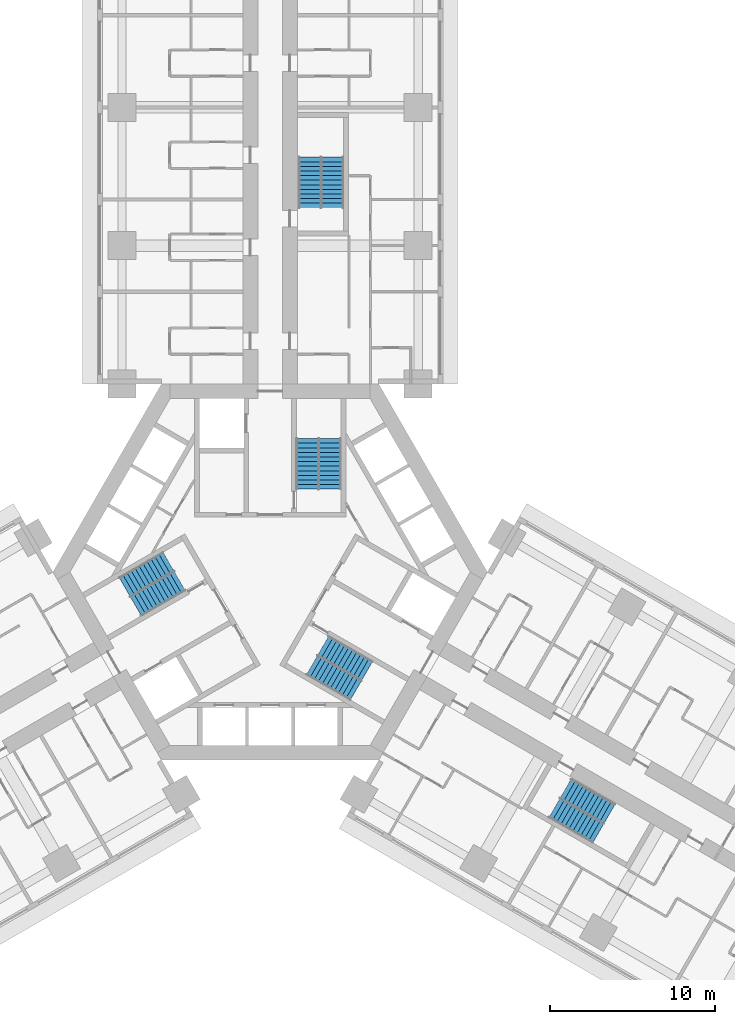
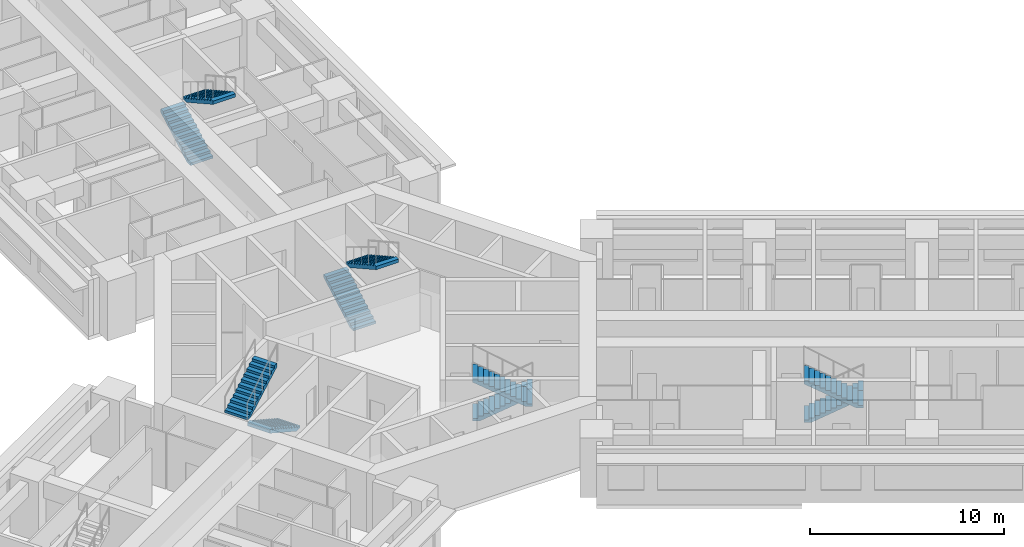
# One storey, part 16 of 17: 10 stair flights, 5 elements without a shape of their own.
"""IFC4 building model written with IfcOpenShell, lengths in metres."""

from ifc_helpers import new_model, si_unit, direction, frame, origin, place, context, subcontext, project, spatial, polyline, outline, extrude, material, type_object, element, aggregate, save


model = new_model("IFC4")

# Units and contexts
model_context = context("Model", 3, precision=1e-05, world=origin(), true_north=direction((0.0, 1.0)))
body_context = subcontext(model_context, "Body", "Model", "MODEL_VIEW")
ifc_project = project(units=[si_unit("LENGTHUNIT", "METRE"), si_unit("AREAUNIT", "SQUARE_METRE"), si_unit("VOLUMEUNIT", "CUBIC_METRE"), si_unit("PLANEANGLEUNIT", "RADIAN"), si_unit("MASSUNIT", "GRAM", prefix="KILO")], contexts=[model_context])

# Site, building, storey
site_placement = place(None, origin())
site = spatial("IfcSite", under=ifc_project, at=site_placement, CompositionType="ELEMENT")
building_placement = place(site_placement, origin())
building = spatial("IfcBuilding", under=site, at=building_placement, Name="Impinga Residences", CompositionType="ELEMENT")
storey_placement = place(building_placement, frame((0.0, 0.0, 29.75)))
storey = spatial("IfcBuildingStorey", under=building, at=storey_placement, Name="L06", CompositionType="ELEMENT", Elevation=29.75)

# Stair, stair flights
ifc_material = material(Name="Concrete C40/50", Category="concrete")
stair_type_1 = type_object("IfcStairType", Name="STR core stair 3750 storey, 24 risers", PredefinedType="HALF_TURN_STAIR", material=ifc_material)
stair_1_placement = place(storey_placement, origin())
stair_1 = element("IfcStair", 1, at=stair_1_placement, inside=storey, type_object=stair_type_1, Name="Stair ST1 L06", PredefinedType="HALF_TURN_STAIR")
stair_flight_type = type_object("IfcStairFlightType", Name="SF 12 risers of 156", PredefinedType="STRAIGHT", material=ifc_material)
stair_flight_1_placement = place(storey_placement, frame((2.27490234375, 5.030029296875, 0.0), z_axis=(0.0, 0.0, 1.0), x_axis=(0.0, 1.0, 0.0)))
stair_flight_1 = element("IfcStairFlight", 2, at=stair_flight_1_placement, type_object=stair_flight_type, Name="ST1 flight 1", NumberOfRisers=12, NumberOfTreads=11, PredefinedType="STRAIGHT", RiserHeight=0.15625, TreadLength=0.28, context=body_context, shape_type="SweptSolid", body=[
    extrude(outline(polyline([(0.0, 0.0), (0.0, 0.15625), (0.280029296875, 0.15625), (0.280029296875, 0.3125), (0.56005859375, 0.3125), (0.56005859375, 0.46875), (0.840087890625, 0.46875), (0.840087890625, 0.625), (1.1201171875, 0.625), (1.1201171875, 0.78125), (1.39990234375, 0.78125), (1.39990234375, 0.9375), (1.679931640625, 0.9375), (1.679931640625, 1.09375), (1.9599609375, 1.09375), (1.9599609375, 1.25), (2.239990234375, 1.25), (2.239990234375, 1.40625), (2.52001953125, 1.40625), (2.52001953125, 1.5625), (2.800048828125, 1.5625), (2.800048828125, 1.71875), (3.080078125, 1.71875), (3.080078125, 1.875), (3.080078125, 1.5126953125), (0.369140625, 0.0), (0.0, 0.0)])), frame((0.0, 0.675048828125, 0.0), z_axis=(0.0, -1.0, 0.0), x_axis=(1.0, 0.0, 0.0)), (0.0, 0.0, 1.0), 1.35009765625),
])
stair_flight_2_placement = place(storey_placement, frame((3.625, 8.110107421875, 1.875), z_axis=(0.0, 0.0, 1.0), x_axis=(0.0, -1.0, 0.0)))
stair_flight_2 = element("IfcStairFlight", 3, at=stair_flight_2_placement, type_object=stair_flight_type, Name="ST1 flight 2", NumberOfRisers=12, NumberOfTreads=11, PredefinedType="STRAIGHT", RiserHeight=0.15625, TreadLength=0.28, context=body_context, shape_type="SweptSolid", body=[
    extrude(outline(polyline([(0.0, 0.0), (0.0, 0.15625), (0.280029296875, 0.15625), (0.280029296875, 0.3125), (0.56005859375, 0.3125), (0.56005859375, 0.46875), (0.840087890625, 0.46875), (0.840087890625, 0.625), (1.1201171875, 0.625), (1.1201171875, 0.78125), (1.39990234375, 0.78125), (1.39990234375, 0.9375), (1.679931640625, 0.9375), (1.679931640625, 1.09375), (1.9599609375, 1.09375), (1.9599609375, 1.25), (2.239990234375, 1.25), (2.239990234375, 1.40625), (2.52001953125, 1.40625), (2.52001953125, 1.5625), (2.800048828125, 1.5625), (2.800048828125, 1.71875), (3.080078125, 1.71875), (3.080078125, 1.875), (3.080078125, 1.5126953125), (0.369140625, 0.0), (0.0, 0.0)])), frame((0.0, 0.675048828125, 0.0), z_axis=(0.0, -1.0, 0.0), x_axis=(1.0, 0.0, 0.0)), (0.0, 0.0, 1.0), 1.35009765625),
])
aggregate(stair_1, [stair_flight_1, stair_flight_2])

stair_2_placement = place(storey_placement, origin())
stair_2 = element("IfcStair", 4, at=stair_2_placement, inside=storey, type_object=stair_type_1, Name="Stair ST2 L06", PredefinedType="HALF_TURN_STAIR")
stair_flight_3_placement = place(storey_placement, frame((-5.49365234375, -0.544677734375, 0.0), z_axis=(0.0, 0.0, 1.0), x_axis=(-0.866025403784, -0.5, 0.0)))
stair_flight_3 = element("IfcStairFlight", 5, at=stair_flight_3_placement, type_object=stair_flight_type, Name="ST2 flight 1", NumberOfRisers=12, NumberOfTreads=11, PredefinedType="STRAIGHT", RiserHeight=0.15625, TreadLength=0.28, context=body_context, shape_type="SweptSolid", body=[
    extrude(outline(polyline([(0.0, 0.0), (0.0, 0.15625), (0.280029296875, 0.15625), (0.280029296875, 0.3125), (0.56005859375, 0.3125), (0.56005859375, 0.46875), (0.840087890625, 0.46875), (0.840087890625, 0.625), (1.1201171875, 0.625), (1.1201171875, 0.78125), (1.39990234375, 0.78125), (1.39990234375, 0.9375), (1.679931640625, 0.9375), (1.679931640625, 1.09375), (1.9599609375, 1.09375), (1.9599609375, 1.25), (2.239990234375, 1.25), (2.239990234375, 1.40625), (2.52001953125, 1.40625), (2.52001953125, 1.5625), (2.800048828125, 1.5625), (2.800048828125, 1.71875), (3.080078125, 1.71875), (3.080078125, 1.875), (3.080078125, 1.5126953125), (0.369140625, 0.0), (0.0, 0.0)])), frame((0.0, 0.675048828125, 0.0), z_axis=(0.0, -1.0, 0.0), x_axis=(1.0, 0.0, 0.0)), (0.0, 0.0, 1.0), 1.35009765625),
])
stair_flight_4_placement = place(storey_placement, frame((-8.8359375, -0.915771484375, 1.875), z_axis=(0.0, 0.0, 1.0), x_axis=(0.866025403784, 0.5, 0.0)))
stair_flight_4 = element("IfcStairFlight", 6, at=stair_flight_4_placement, type_object=stair_flight_type, Name="ST2 flight 2", NumberOfRisers=12, NumberOfTreads=11, PredefinedType="STRAIGHT", RiserHeight=0.15625, TreadLength=0.28, context=body_context, shape_type="SweptSolid", body=[
    extrude(outline(polyline([(0.0, 0.0), (0.0, 0.15625), (0.280029296875, 0.15625), (0.280029296875, 0.3125), (0.56005859375, 0.3125), (0.56005859375, 0.46875), (0.840087890625, 0.46875), (0.840087890625, 0.625), (1.1201171875, 0.625), (1.1201171875, 0.78125), (1.39990234375, 0.78125), (1.39990234375, 0.9375), (1.679931640625, 0.9375), (1.679931640625, 1.09375), (1.9599609375, 1.09375), (1.9599609375, 1.25), (2.239990234375, 1.25), (2.239990234375, 1.40625), (2.52001953125, 1.40625), (2.52001953125, 1.5625), (2.800048828125, 1.5625), (2.800048828125, 1.71875), (3.080078125, 1.71875), (3.080078125, 1.875), (3.080078125, 1.5126953125), (0.369140625, 0.0), (0.0, 0.0)])), frame((0.0, 0.675048828125, 0.0), z_axis=(0.0, -1.0, 0.0), x_axis=(1.0, 0.0, 0.0)), (0.0, 0.0, 1.0), 1.35009765625),
])
aggregate(stair_2, [stair_flight_3, stair_flight_4])

stair_3_placement = place(storey_placement, origin())
stair_3 = element("IfcStair", 7, at=stair_3_placement, inside=storey, type_object=stair_type_1, Name="Stair ST3 L06", PredefinedType="HALF_TURN_STAIR")
stair_flight_5_placement = place(storey_placement, frame((3.218505859375, -4.485107421875, 0.0), z_axis=(0.0, 0.0, 1.0), x_axis=(0.866025403784, -0.5, 0.0)))
stair_flight_5 = element("IfcStairFlight", 8, at=stair_flight_5_placement, type_object=stair_flight_type, Name="ST3 flight 1", NumberOfRisers=12, NumberOfTreads=11, PredefinedType="STRAIGHT", RiserHeight=0.15625, TreadLength=0.28, context=body_context, shape_type="SweptSolid", body=[
    extrude(outline(polyline([(0.0, 0.0), (0.0, 0.15625), (0.280029296875, 0.15625), (0.280029296875, 0.3125), (0.56005859375, 0.3125), (0.56005859375, 0.46875), (0.840087890625, 0.46875), (0.840087890625, 0.625), (1.1201171875, 0.625), (1.1201171875, 0.78125), (1.39990234375, 0.78125), (1.39990234375, 0.9375), (1.679931640625, 0.9375), (1.679931640625, 1.09375), (1.9599609375, 1.09375), (1.9599609375, 1.25), (2.239990234375, 1.25), (2.239990234375, 1.40625), (2.52001953125, 1.40625), (2.52001953125, 1.5625), (2.800048828125, 1.5625), (2.800048828125, 1.71875), (3.080078125, 1.71875), (3.080078125, 1.875), (3.080078125, 1.5126953125), (0.369140625, 0.0), (0.0, 0.0)])), frame((0.0, 0.675048828125, 0.0), z_axis=(0.0, -1.0, 0.0), x_axis=(1.0, 0.0, 0.0)), (0.0, 0.0, 1.0), 1.35009765625),
])
stair_flight_6_placement = place(storey_placement, frame((5.2109375, -7.1943359375, 1.875), z_axis=(0.0, 0.0, 1.0), x_axis=(-0.866025403784, 0.5, 0.0)))
stair_flight_6 = element("IfcStairFlight", 9, at=stair_flight_6_placement, type_object=stair_flight_type, Name="ST3 flight 2", NumberOfRisers=12, NumberOfTreads=11, PredefinedType="STRAIGHT", RiserHeight=0.15625, TreadLength=0.28, context=body_context, shape_type="SweptSolid", body=[
    extrude(outline(polyline([(0.0, 0.0), (0.0, 0.15625), (0.280029296875, 0.15625), (0.280029296875, 0.3125), (0.56005859375, 0.3125), (0.56005859375, 0.46875), (0.840087890625, 0.46875), (0.840087890625, 0.625), (1.1201171875, 0.625), (1.1201171875, 0.78125), (1.39990234375, 0.78125), (1.39990234375, 0.9375), (1.679931640625, 0.9375), (1.679931640625, 1.09375), (1.9599609375, 1.09375), (1.9599609375, 1.25), (2.239990234375, 1.25), (2.239990234375, 1.40625), (2.52001953125, 1.40625), (2.52001953125, 1.5625), (2.800048828125, 1.5625), (2.800048828125, 1.71875), (3.080078125, 1.71875), (3.080078125, 1.875), (3.080078125, 1.5126953125), (0.369140625, 0.0), (0.0, 0.0)])), frame((0.0, 0.675048828125, 0.0), z_axis=(0.0, -1.0, 0.0), x_axis=(1.0, 0.0, 0.0)), (0.0, 0.0, 1.0), 1.35009765625),
])
aggregate(stair_3, [stair_flight_5, stair_flight_6])

stair_type_2 = type_object("IfcStairType", Name="STR wing stair 3750 storey, 24 risers", PredefinedType="HALF_TURN_STAIR", material=ifc_material)
stair_4_placement = place(storey_placement, origin())
stair_4 = element("IfcStair", 10, at=stair_4_placement, inside=storey, type_object=stair_type_2, Name="Stair WS1 L06", PredefinedType="HALF_TURN_STAIR")
stair_flight_7_placement = place(storey_placement, frame((2.425048828125, 22.131591796875, 0.0), z_axis=(0.0, 0.0, 1.0), x_axis=(0.0, 1.0, 0.0)))
stair_flight_7 = element("IfcStairFlight", 11, at=stair_flight_7_placement, type_object=stair_flight_type, Name="WS1 flight 1", NumberOfRisers=12, NumberOfTreads=11, PredefinedType="STRAIGHT", RiserHeight=0.15625, TreadLength=0.28, context=body_context, shape_type="SweptSolid", body=[
    extrude(outline(polyline([(0.0, 0.0), (0.0, 0.15625), (0.280029296875, 0.15625), (0.280029296875, 0.3125), (0.56005859375, 0.3125), (0.56005859375, 0.46875), (0.840087890625, 0.46875), (0.840087890625, 0.625), (1.1201171875, 0.625), (1.1201171875, 0.78125), (1.39990234375, 0.78125), (1.39990234375, 0.9375), (1.679931640625, 0.9375), (1.679931640625, 1.09375), (1.9599609375, 1.09375), (1.9599609375, 1.25), (2.239990234375, 1.25), (2.239990234375, 1.40625), (2.52001953125, 1.40625), (2.52001953125, 1.5625), (2.800048828125, 1.5625), (2.800048828125, 1.71875), (3.080078125, 1.71875), (3.080078125, 1.875), (3.080078125, 1.5126953125), (0.369140625, 0.0), (0.0, 0.0)])), frame((0.0, 0.675048828125, 0.0), z_axis=(0.0, -1.0, 0.0), x_axis=(1.0, 0.0, 0.0)), (0.0, 0.0, 1.0), 1.35009765625),
])
stair_flight_8_placement = place(storey_placement, frame((3.77490234375, 25.21142578125, 1.875), z_axis=(0.0, 0.0, 1.0), x_axis=(0.0, -1.0, 0.0)))
stair_flight_8 = element("IfcStairFlight", 12, at=stair_flight_8_placement, type_object=stair_flight_type, Name="WS1 flight 2", NumberOfRisers=12, NumberOfTreads=11, PredefinedType="STRAIGHT", RiserHeight=0.15625, TreadLength=0.28, context=body_context, shape_type="SweptSolid", body=[
    extrude(outline(polyline([(0.0, 0.0), (0.0, 0.15625), (0.280029296875, 0.15625), (0.280029296875, 0.3125), (0.56005859375, 0.3125), (0.56005859375, 0.46875), (0.840087890625, 0.46875), (0.840087890625, 0.625), (1.1201171875, 0.625), (1.1201171875, 0.78125), (1.39990234375, 0.78125), (1.39990234375, 0.9375), (1.679931640625, 0.9375), (1.679931640625, 1.09375), (1.9599609375, 1.09375), (1.9599609375, 1.25), (2.239990234375, 1.25), (2.239990234375, 1.40625), (2.52001953125, 1.40625), (2.52001953125, 1.5625), (2.800048828125, 1.5625), (2.800048828125, 1.71875), (3.080078125, 1.71875), (3.080078125, 1.875), (3.080078125, 1.5126953125), (0.369140625, 0.0), (0.0, 0.0)])), frame((0.0, 0.675048828125, 0.0), z_axis=(0.0, -1.0, 0.0), x_axis=(1.0, 0.0, 0.0)), (0.0, 0.0, 1.0), 1.35009765625),
])
aggregate(stair_4, [stair_flight_7, stair_flight_8])

stair_5_placement = place(storey_placement, origin())
stair_5 = element("IfcStair", 13, at=stair_5_placement, inside=storey, type_object=stair_type_2, Name="Stair WS3 L06", PredefinedType="HALF_TURN_STAIR")
stair_flight_9_placement = place(storey_placement, frame((17.953857421875, -13.165771484375, 0.0), z_axis=(0.0, 0.0, 1.0), x_axis=(0.866025403784, -0.5, 0.0)))
stair_flight_9 = element("IfcStairFlight", 14, at=stair_flight_9_placement, type_object=stair_flight_type, Name="WS3 flight 1", NumberOfRisers=12, NumberOfTreads=11, PredefinedType="STRAIGHT", RiserHeight=0.15625, TreadLength=0.28, context=body_context, shape_type="SweptSolid", body=[
    extrude(outline(polyline([(0.0, 0.0), (0.0, 0.15625), (0.280029296875, 0.15625), (0.280029296875, 0.3125), (0.56005859375, 0.3125), (0.56005859375, 0.46875), (0.840087890625, 0.46875), (0.840087890625, 0.625), (1.1201171875, 0.625), (1.1201171875, 0.78125), (1.39990234375, 0.78125), (1.39990234375, 0.9375), (1.679931640625, 0.9375), (1.679931640625, 1.09375), (1.9599609375, 1.09375), (1.9599609375, 1.25), (2.239990234375, 1.25), (2.239990234375, 1.40625), (2.52001953125, 1.40625), (2.52001953125, 1.5625), (2.800048828125, 1.5625), (2.800048828125, 1.71875), (3.080078125, 1.71875), (3.080078125, 1.875), (3.080078125, 1.5126953125), (0.369140625, 0.0), (0.0, 0.0)])), frame((0.0, 0.675048828125, 0.0), z_axis=(0.0, -1.0, 0.0), x_axis=(1.0, 0.0, 0.0)), (0.0, 0.0, 1.0), 1.35009765625),
])
stair_flight_10_placement = place(storey_placement, frame((19.9462890625, -15.875, 1.875), z_axis=(0.0, 0.0, 1.0), x_axis=(-0.866025403784, 0.5, 0.0)))
stair_flight_10 = element("IfcStairFlight", 15, at=stair_flight_10_placement, type_object=stair_flight_type, Name="WS3 flight 2", NumberOfRisers=12, NumberOfTreads=11, PredefinedType="STRAIGHT", RiserHeight=0.15625, TreadLength=0.28, context=body_context, shape_type="SweptSolid", body=[
    extrude(outline(polyline([(0.0, 0.0), (0.0, 0.15625), (0.280029296875, 0.15625), (0.280029296875, 0.3125), (0.56005859375, 0.3125), (0.56005859375, 0.46875), (0.840087890625, 0.46875), (0.840087890625, 0.625), (1.1201171875, 0.625), (1.1201171875, 0.78125), (1.39990234375, 0.78125), (1.39990234375, 0.9375), (1.679931640625, 0.9375), (1.679931640625, 1.09375), (1.9599609375, 1.09375), (1.9599609375, 1.25), (2.239990234375, 1.25), (2.239990234375, 1.40625), (2.52001953125, 1.40625), (2.52001953125, 1.5625), (2.800048828125, 1.5625), (2.800048828125, 1.71875), (3.080078125, 1.71875), (3.080078125, 1.875), (3.080078125, 1.5126953125), (0.369140625, 0.0), (0.0, 0.0)])), frame((0.0, 0.675048828125, 0.0), z_axis=(0.0, -1.0, 0.0), x_axis=(1.0, 0.0, 0.0)), (0.0, 0.0, 1.0), 1.35009765625),
])
aggregate(stair_5, [stair_flight_9, stair_flight_10])

save(model, "model.ifc")
